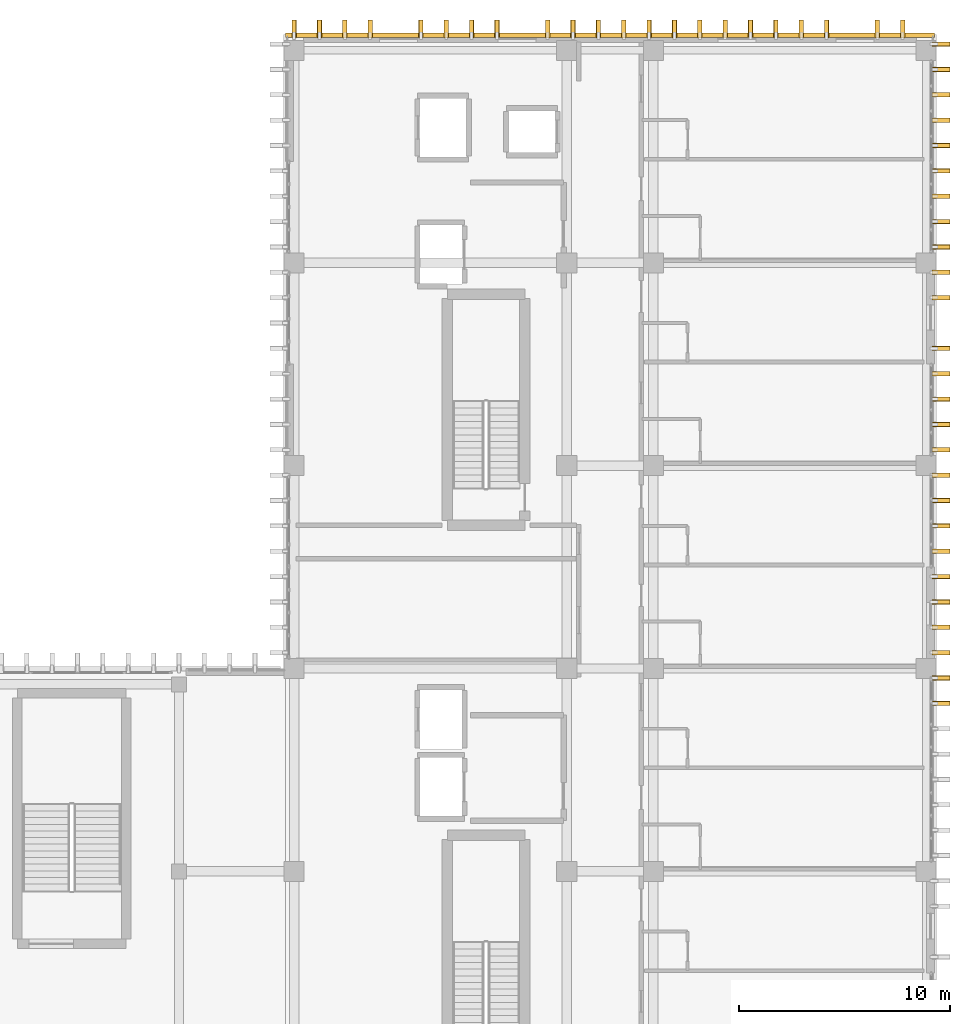
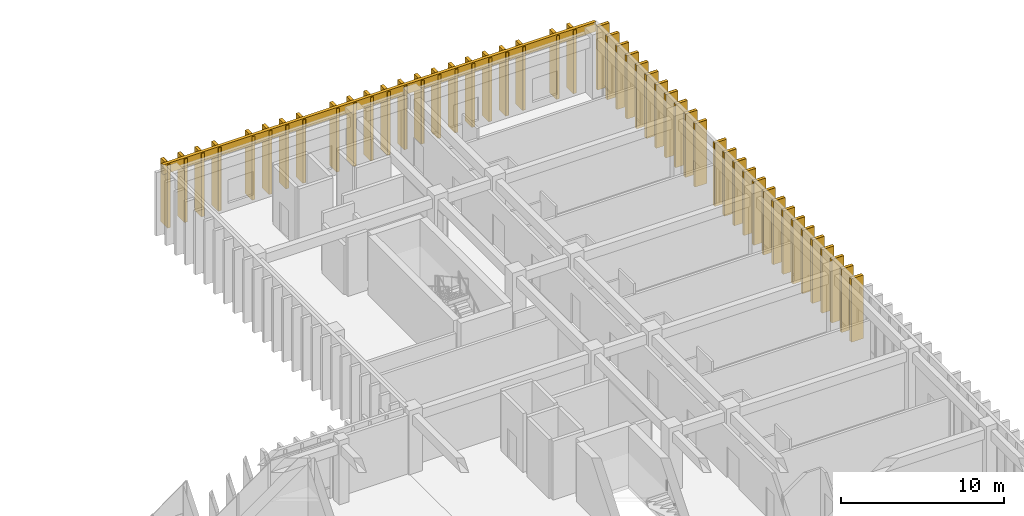
# One storey, part 133 of 133: 49 coverings, 48 shading devices.
"""IFC4 building model written with IfcOpenShell, lengths in metres."""

from ifc_helpers import new_model, si_unit, direction, frame, origin, origin_2d, place, context, subcontext, project, spatial, rectangle, extrude, material, layer, layer_set, type_object, element, save


model = new_model("IFC4")

# Units and contexts
model_context = context("Model", 3, precision=1e-05, world=origin(), true_north=direction((0.0, 1.0)))
body_context = subcontext(model_context, "Body", "Model", "MODEL_VIEW")
ifc_project = project(units=[si_unit("LENGTHUNIT", "METRE"), si_unit("AREAUNIT", "SQUARE_METRE"), si_unit("VOLUMEUNIT", "CUBIC_METRE"), si_unit("PLANEANGLEUNIT", "RADIAN"), si_unit("MASSUNIT", "GRAM", prefix="KILO")], contexts=[model_context])

# Site, building, storey
site_placement = place(None, origin())
site = spatial("IfcSite", under=ifc_project, at=site_placement, CompositionType="ELEMENT")
building_placement = place(site_placement, origin())
building = spatial("IfcBuilding", under=site, at=building_placement, Name="Nakhvara Creek Congress Hotel", CompositionType="ELEMENT")
storey_placement = place(building_placement, frame((0.0, 0.0, 11.39990234375)))
storey = spatial("IfcBuildingStorey", under=building, at=storey_placement, Name="L02", CompositionType="ELEMENT", Elevation=11.39990234375)

# Coverings
ifc_material_1 = material(Name="Honed pale Omani limestone architectural cladding", Category="masonry")
ifc_layer_1 = layer(ifc_material_1, 0.219970703125)
ifc_layer_set_1 = layer_set([ifc_layer_1], Name="Honed pale Omani limestone architectural cladding")
covering_type_1 = type_object("IfcCoveringType", Name="COV-FIN-850", PredefinedType="CLADDING", material=ifc_layer_set_1)
for number, where, z_axis, x_axis, name in (
    (1, (180.054931640625, 94.35009765625, 0.0), (0.0, 0.0, 1.0), (0.0, 1.0, 0.0), "Pale Limestone Fin Cladding CF01-0930"),
    (2, (180.054931640625, 95.550048828125, 0.0), (0.0, 0.0, 1.0), (0.0, 1.0, 0.0), "Pale Limestone Fin Cladding CF01-0931"),
    (3, (180.054931640625, 96.75, 0.0), (0.0, 0.0, 1.0), (0.0, 1.0, 0.0), "Pale Limestone Fin Cladding CF01-0932"),
    (4, (180.054931640625, 97.949951171875, 0.0), (0.0, 0.0, 1.0), (0.0, 1.0, 0.0), "Pale Limestone Fin Cladding CF01-0934"),
    (5, (180.054931640625, 99.14990234375, 0.0), (0.0, 0.0, 1.0), (0.0, 1.0, 0.0), "Pale Limestone Fin Cladding CF01-0936"),
    (6, (180.054931640625, 100.35009765625, 0.0), (0.0, 0.0, 1.0), (0.0, 1.0, 0.0), "Pale Limestone Fin Cladding CF01-0938"),
    (7, (180.054931640625, 101.550048828125, 0.0), (0.0, 0.0, 1.0), (0.0, 1.0, 0.0), "Pale Limestone Fin Cladding CF01-0940"),
    (8, (180.054931640625, 102.75, 0.0), (0.0, 0.0, 1.0), (0.0, 1.0, 0.0), "Pale Limestone Fin Cladding CF01-0942"),
    (9, (180.054931640625, 103.949951171875, 0.0), (0.0, 0.0, 1.0), (0.0, 1.0, 0.0), "Pale Limestone Fin Cladding CF01-0944"),
    (10, (180.054931640625, 105.14990234375, 0.0), (0.0, 0.0, 1.0), (0.0, 1.0, 0.0), "Pale Limestone Fin Cladding CF01-0946"),
    (11, (180.054931640625, 106.35009765625, 0.0), (0.0, 0.0, 1.0), (0.0, 1.0, 0.0), "Pale Limestone Fin Cladding CF01-0948"),
    (12, (180.054931640625, 107.550048828125, 0.0), (0.0, 0.0, 1.0), (0.0, 1.0, 0.0), "Pale Limestone Fin Cladding CF01-0950"),
    (13, (180.054931640625, 108.75, 0.0), (0.0, 0.0, 1.0), (0.0, 1.0, 0.0), "Pale Limestone Fin Cladding CF01-0952"),
    (14, (180.054931640625, 109.949951171875, 0.0), (0.0, 0.0, 1.0), (0.0, 1.0, 0.0), "Pale Limestone Fin Cladding CF01-0954"),
    (15, (180.054931640625, 111.14990234375, 0.0), (0.0, 0.0, 1.0), (0.0, 1.0, 0.0), "Pale Limestone Fin Cladding CF01-0956"),
    (16, (180.054931640625, 113.550048828125, 0.0), (0.0, 0.0, 1.0), (0.0, 1.0, 0.0), "Pale Limestone Fin Cladding CF01-0959"),
    (17, (180.054931640625, 114.75, 0.0), (0.0, 0.0, 1.0), (0.0, 1.0, 0.0), "Pale Limestone Fin Cladding CF01-0961"),
    (18, (180.054931640625, 115.949951171875, 0.0), (0.0, 0.0, 1.0), (0.0, 1.0, 0.0), "Pale Limestone Fin Cladding CF01-0963"),
    (19, (180.054931640625, 117.14990234375, 0.0), (0.0, 0.0, 1.0), (0.0, 1.0, 0.0), "Pale Limestone Fin Cladding CF01-0965"),
    (20, (180.054931640625, 118.35009765625, 0.0), (0.0, 0.0, 1.0), (0.0, 1.0, 0.0), "Pale Limestone Fin Cladding CF01-0967"),
    (21, (180.054931640625, 119.550048828125, 0.0), (0.0, 0.0, 1.0), (0.0, 1.0, 0.0), "Pale Limestone Fin Cladding CF01-0969"),
    (22, (180.054931640625, 120.75, 0.0), (0.0, 0.0, 1.0), (0.0, 1.0, 0.0), "Pale Limestone Fin Cladding CF01-0971"),
    (23, (180.054931640625, 121.949951171875, 0.0), (0.0, 0.0, 1.0), (0.0, 1.0, 0.0), "Pale Limestone Fin Cladding CF01-0973"),
    (24, (180.054931640625, 123.14990234375, 0.0), (0.0, 0.0, 1.0), (0.0, 1.0, 0.0), "Pale Limestone Fin Cladding CF01-0975"),
    (25, (180.054931640625, 124.35009765625, 0.0), (0.0, 0.0, 1.0), (0.0, 1.0, 0.0), "Pale Limestone Fin Cladding CF01-0977"),
    (26, (180.054931640625, 125.550048828125, 0.0), (0.0, 0.0, 1.0), (0.0, 1.0, 0.0), "Pale Limestone Fin Cladding CF01-0979"),
    (27, (149.449951171875, 126.264892578125, 0.0), (0.0, 0.0, 1.0), (1.0, 0.0, 0.0), "Pale Limestone Fin Cladding CF01-0981"),
    (28, (150.64990234375, 126.264892578125, 0.0), (0.0, 0.0, 1.0), (1.0, 0.0, 0.0), "Pale Limestone Fin Cladding CF01-0983"),
    (29, (151.85009765625, 126.264892578125, 0.0), (0.0, 0.0, 1.0), (1.0, 0.0, 0.0), "Pale Limestone Fin Cladding CF01-0985"),
    (30, (153.050048828125, 126.264892578125, 0.0), (0.0, 0.0, 1.0), (1.0, 0.0, 0.0), "Pale Limestone Fin Cladding CF01-0987"),
    (31, (155.449951171875, 126.264892578125, 0.0), (0.0, 0.0, 1.0), (1.0, 0.0, 0.0), "Pale Limestone Fin Cladding CF01-0990"),
    (32, (156.64990234375, 126.264892578125, 0.0), (0.0, 0.0, 1.0), (1.0, 0.0, 0.0), "Pale Limestone Fin Cladding CF01-0992"),
    (33, (157.85009765625, 126.264892578125, 0.0), (0.0, 0.0, 1.0), (1.0, 0.0, 0.0), "Pale Limestone Fin Cladding CF01-0994"),
    (34, (159.050048828125, 126.264892578125, 0.0), (0.0, 0.0, 1.0), (1.0, 0.0, 0.0), "Pale Limestone Fin Cladding CF01-0996"),
    (35, (161.449951171875, 126.264892578125, 0.0), (0.0, 0.0, 1.0), (1.0, 0.0, 0.0), "Pale Limestone Fin Cladding CF01-0999"),
    (36, (162.64990234375, 126.264892578125, 0.0), (0.0, 0.0, 1.0), (1.0, 0.0, 0.0), "Pale Limestone Fin Cladding CF01-1001"),
    (37, (163.85009765625, 126.264892578125, 0.0), (0.0, 0.0, 1.0), (1.0, 0.0, 0.0), "Pale Limestone Fin Cladding CF01-1003"),
    (38, (165.050048828125, 126.264892578125, 0.0), (0.0, 0.0, 1.0), (1.0, 0.0, 0.0), "Pale Limestone Fin Cladding CF01-1005"),
    (39, (166.25, 126.264892578125, 0.0), (0.0, 0.0, 1.0), (1.0, 0.0, 0.0), "Pale Limestone Fin Cladding CF01-1007"),
    (40, (167.449951171875, 126.264892578125, 0.0), (0.0, 0.0, 1.0), (1.0, 0.0, 0.0), "Pale Limestone Fin Cladding CF01-1009"),
    (41, (168.64990234375, 126.264892578125, 0.0), (0.0, 0.0, 1.0), (1.0, 0.0, 0.0), "Pale Limestone Fin Cladding CF01-1011"),
    (42, (169.85009765625, 126.264892578125, 0.0), (0.0, 0.0, 1.0), (1.0, 0.0, 0.0), "Pale Limestone Fin Cladding CF01-1012"),
    (43, (171.050048828125, 126.264892578125, 0.0), (0.0, 0.0, 1.0), (1.0, 0.0, 0.0), "Pale Limestone Fin Cladding CF01-1014"),
    (44, (172.25, 126.264892578125, 0.0), (0.0, 0.0, 1.0), (1.0, 0.0, 0.0), "Pale Limestone Fin Cladding CF01-1016"),
    (45, (173.449951171875, 126.264892578125, 0.0), (0.0, 0.0, 1.0), (1.0, 0.0, 0.0), "Pale Limestone Fin Cladding CF01-1018"),
    (46, (174.64990234375, 126.264892578125, 0.0), (0.0, 0.0, 1.0), (1.0, 0.0, 0.0), "Pale Limestone Fin Cladding CF01-1020"),
    (47, (177.050048828125, 126.264892578125, 0.0), (0.0, 0.0, 1.0), (1.0, 0.0, 0.0), "Pale Limestone Fin Cladding CF01-1023"),
    (48, (178.25, 126.264892578125, 0.0), (0.0, 0.0, 1.0), (1.0, 0.0, 0.0), "Pale Limestone Fin Cladding CF01-1025"),
):
    element("IfcCovering", number, at=place(storey_placement, frame(where, z_axis=z_axis, x_axis=x_axis)), inside=storey, type_object=covering_type_1, Name=name, PredefinedType="CLADDING", context=body_context, shape_type="SweptSolid", body=[
        extrude(rectangle(XDim=0.219970703125, YDim=0.85009765625, at=origin_2d()), origin(), (0.0, 0.0, 1.0), 4.760009765625),
    ])
ifc_layer_2 = layer(ifc_material_1, 0.179931640625)
ifc_layer_set_2 = layer_set([ifc_layer_2], Name="Honed pale Omani limestone architectural cladding")
covering_type_2 = type_object("IfcCoveringType", Name="COV-SPN-180", PredefinedType="CLADDING", material=ifc_layer_set_2)
covering_placement = place(storey_placement, frame((164.39990234375, 125.969970703125, 4.110107421875), z_axis=(0.0, 0.0, 1.0), x_axis=(1.0, 0.0, 0.0)))
element("IfcCovering", 49, at=covering_placement, inside=storey, type_object=covering_type_2, Name="Pale Limestone Spandrel Band CF02-0051", PredefinedType="CLADDING", context=body_context, shape_type="SweptSolid", body=[
    extrude(rectangle(XDim=30.699951171875, YDim=0.219970703125, at=origin_2d()), origin(), (0.0, 0.0, 1.0), 0.72998046875),
])

# Shading devices
ifc_material_2 = material(Name="Honed pale Omani limestone cladding on stainless steel spine", Category="masonry")
shading_device_type = type_object("IfcShadingDeviceType", Name="SHD-FIN-850X4700", PredefinedType="USERDEFINED", material=ifc_material_2)
for number, where, z_axis, x_axis, name in (
    (50, (180.054931640625, 94.35009765625, 0.0), (0.0, 0.0, 1.0), (0.0, 1.0, 0.0), "Limestone Solar Fin FN02-0795"),
    (51, (180.054931640625, 95.550048828125, 0.0), (0.0, 0.0, 1.0), (0.0, 1.0, 0.0), "Limestone Solar Fin FN02-0796"),
    (52, (180.054931640625, 96.75, 0.0), (0.0, 0.0, 1.0), (0.0, 1.0, 0.0), "Limestone Solar Fin FN02-0797"),
    (53, (180.054931640625, 97.949951171875, 0.0), (0.0, 0.0, 1.0), (0.0, 1.0, 0.0), "Limestone Solar Fin FN02-0799"),
    (54, (180.054931640625, 99.14990234375, 0.0), (0.0, 0.0, 1.0), (0.0, 1.0, 0.0), "Limestone Solar Fin FN02-0801"),
    (55, (180.054931640625, 100.35009765625, 0.0), (0.0, 0.0, 1.0), (0.0, 1.0, 0.0), "Limestone Solar Fin FN02-0803"),
    (56, (180.054931640625, 101.550048828125, 0.0), (0.0, 0.0, 1.0), (0.0, 1.0, 0.0), "Limestone Solar Fin FN02-0805"),
    (57, (180.054931640625, 102.75, 0.0), (0.0, 0.0, 1.0), (0.0, 1.0, 0.0), "Limestone Solar Fin FN02-0807"),
    (58, (180.054931640625, 103.949951171875, 0.0), (0.0, 0.0, 1.0), (0.0, 1.0, 0.0), "Limestone Solar Fin FN02-0809"),
    (59, (180.054931640625, 105.14990234375, 0.0), (0.0, 0.0, 1.0), (0.0, 1.0, 0.0), "Limestone Solar Fin FN02-0811"),
    (60, (180.054931640625, 106.35009765625, 0.0), (0.0, 0.0, 1.0), (0.0, 1.0, 0.0), "Limestone Solar Fin FN02-0813"),
    (61, (180.054931640625, 107.550048828125, 0.0), (0.0, 0.0, 1.0), (0.0, 1.0, 0.0), "Limestone Solar Fin FN02-0815"),
    (62, (180.054931640625, 108.75, 0.0), (0.0, 0.0, 1.0), (0.0, 1.0, 0.0), "Limestone Solar Fin FN02-0817"),
    (63, (180.054931640625, 109.949951171875, 0.0), (0.0, 0.0, 1.0), (0.0, 1.0, 0.0), "Limestone Solar Fin FN02-0819"),
    (64, (180.054931640625, 111.14990234375, 0.0), (0.0, 0.0, 1.0), (0.0, 1.0, 0.0), "Limestone Solar Fin FN02-0821"),
    (65, (180.054931640625, 113.550048828125, 0.0), (0.0, 0.0, 1.0), (0.0, 1.0, 0.0), "Limestone Solar Fin FN02-0824"),
    (66, (180.054931640625, 114.75, 0.0), (0.0, 0.0, 1.0), (0.0, 1.0, 0.0), "Limestone Solar Fin FN02-0826"),
    (67, (180.054931640625, 115.949951171875, 0.0), (0.0, 0.0, 1.0), (0.0, 1.0, 0.0), "Limestone Solar Fin FN02-0828"),
    (68, (180.054931640625, 117.14990234375, 0.0), (0.0, 0.0, 1.0), (0.0, 1.0, 0.0), "Limestone Solar Fin FN02-0830"),
    (69, (180.054931640625, 118.35009765625, 0.0), (0.0, 0.0, 1.0), (0.0, 1.0, 0.0), "Limestone Solar Fin FN02-0832"),
    (70, (180.054931640625, 119.550048828125, 0.0), (0.0, 0.0, 1.0), (0.0, 1.0, 0.0), "Limestone Solar Fin FN02-0834"),
    (71, (180.054931640625, 120.75, 0.0), (0.0, 0.0, 1.0), (0.0, 1.0, 0.0), "Limestone Solar Fin FN02-0836"),
    (72, (180.054931640625, 121.949951171875, 0.0), (0.0, 0.0, 1.0), (0.0, 1.0, 0.0), "Limestone Solar Fin FN02-0838"),
    (73, (180.054931640625, 123.14990234375, 0.0), (0.0, 0.0, 1.0), (0.0, 1.0, 0.0), "Limestone Solar Fin FN02-0840"),
    (74, (180.054931640625, 124.35009765625, 0.0), (0.0, 0.0, 1.0), (0.0, 1.0, 0.0), "Limestone Solar Fin FN02-0842"),
    (75, (180.054931640625, 125.550048828125, 0.0), (0.0, 0.0, 1.0), (0.0, 1.0, 0.0), "Limestone Solar Fin FN02-0844"),
    (76, (149.449951171875, 126.264892578125, 0.0), (0.0, 0.0, 1.0), (1.0, 0.0, 0.0), "Limestone Solar Fin FN02-0846"),
    (77, (150.64990234375, 126.264892578125, 0.0), (0.0, 0.0, 1.0), (1.0, 0.0, 0.0), "Limestone Solar Fin FN02-0848"),
    (78, (151.85009765625, 126.264892578125, 0.0), (0.0, 0.0, 1.0), (1.0, 0.0, 0.0), "Limestone Solar Fin FN02-0850"),
    (79, (153.050048828125, 126.264892578125, 0.0), (0.0, 0.0, 1.0), (1.0, 0.0, 0.0), "Limestone Solar Fin FN02-0852"),
    (80, (155.449951171875, 126.264892578125, 0.0), (0.0, 0.0, 1.0), (1.0, 0.0, 0.0), "Limestone Solar Fin FN02-0855"),
    (81, (156.64990234375, 126.264892578125, 0.0), (0.0, 0.0, 1.0), (1.0, 0.0, 0.0), "Limestone Solar Fin FN02-0857"),
    (82, (157.85009765625, 126.264892578125, 0.0), (0.0, 0.0, 1.0), (1.0, 0.0, 0.0), "Limestone Solar Fin FN02-0859"),
    (83, (159.050048828125, 126.264892578125, 0.0), (0.0, 0.0, 1.0), (1.0, 0.0, 0.0), "Limestone Solar Fin FN02-0861"),
    (84, (161.449951171875, 126.264892578125, 0.0), (0.0, 0.0, 1.0), (1.0, 0.0, 0.0), "Limestone Solar Fin FN02-0864"),
    (85, (162.64990234375, 126.264892578125, 0.0), (0.0, 0.0, 1.0), (1.0, 0.0, 0.0), "Limestone Solar Fin FN02-0866"),
    (86, (163.85009765625, 126.264892578125, 0.0), (0.0, 0.0, 1.0), (1.0, 0.0, 0.0), "Limestone Solar Fin FN02-0868"),
    (87, (165.050048828125, 126.264892578125, 0.0), (0.0, 0.0, 1.0), (1.0, 0.0, 0.0), "Limestone Solar Fin FN02-0870"),
    (88, (166.25, 126.264892578125, 0.0), (0.0, 0.0, 1.0), (1.0, 0.0, 0.0), "Limestone Solar Fin FN02-0872"),
    (89, (167.449951171875, 126.264892578125, 0.0), (0.0, 0.0, 1.0), (1.0, 0.0, 0.0), "Limestone Solar Fin FN02-0874"),
    (90, (168.64990234375, 126.264892578125, 0.0), (0.0, 0.0, 1.0), (1.0, 0.0, 0.0), "Limestone Solar Fin FN02-0876"),
    (91, (169.85009765625, 126.264892578125, 0.0), (0.0, 0.0, 1.0), (1.0, 0.0, 0.0), "Limestone Solar Fin FN02-0877"),
    (92, (171.050048828125, 126.264892578125, 0.0), (0.0, 0.0, 1.0), (1.0, 0.0, 0.0), "Limestone Solar Fin FN02-0879"),
    (93, (172.25, 126.264892578125, 0.0), (0.0, 0.0, 1.0), (1.0, 0.0, 0.0), "Limestone Solar Fin FN02-0881"),
    (94, (173.449951171875, 126.264892578125, 0.0), (0.0, 0.0, 1.0), (1.0, 0.0, 0.0), "Limestone Solar Fin FN02-0883"),
    (95, (174.64990234375, 126.264892578125, 0.0), (0.0, 0.0, 1.0), (1.0, 0.0, 0.0), "Limestone Solar Fin FN02-0885"),
    (96, (177.050048828125, 126.264892578125, 0.0), (0.0, 0.0, 1.0), (1.0, 0.0, 0.0), "Limestone Solar Fin FN02-0888"),
    (97, (178.25, 126.264892578125, 0.0), (0.0, 0.0, 1.0), (1.0, 0.0, 0.0), "Limestone Solar Fin FN02-0890"),
):
    element("IfcShadingDevice", number, at=place(storey_placement, frame(where, z_axis=z_axis, x_axis=x_axis)), inside=storey, type_object=shading_device_type, Name=name, ObjectType="FIN", PredefinedType="USERDEFINED", context=body_context, shape_type="SweptSolid", body=[
        extrude(rectangle(XDim=0.199951171875, YDim=0.85009765625, at=origin_2d()), origin(), (0.0, 0.0, 1.0), 4.760009765625),
    ])

save(model, "model.ifc")
